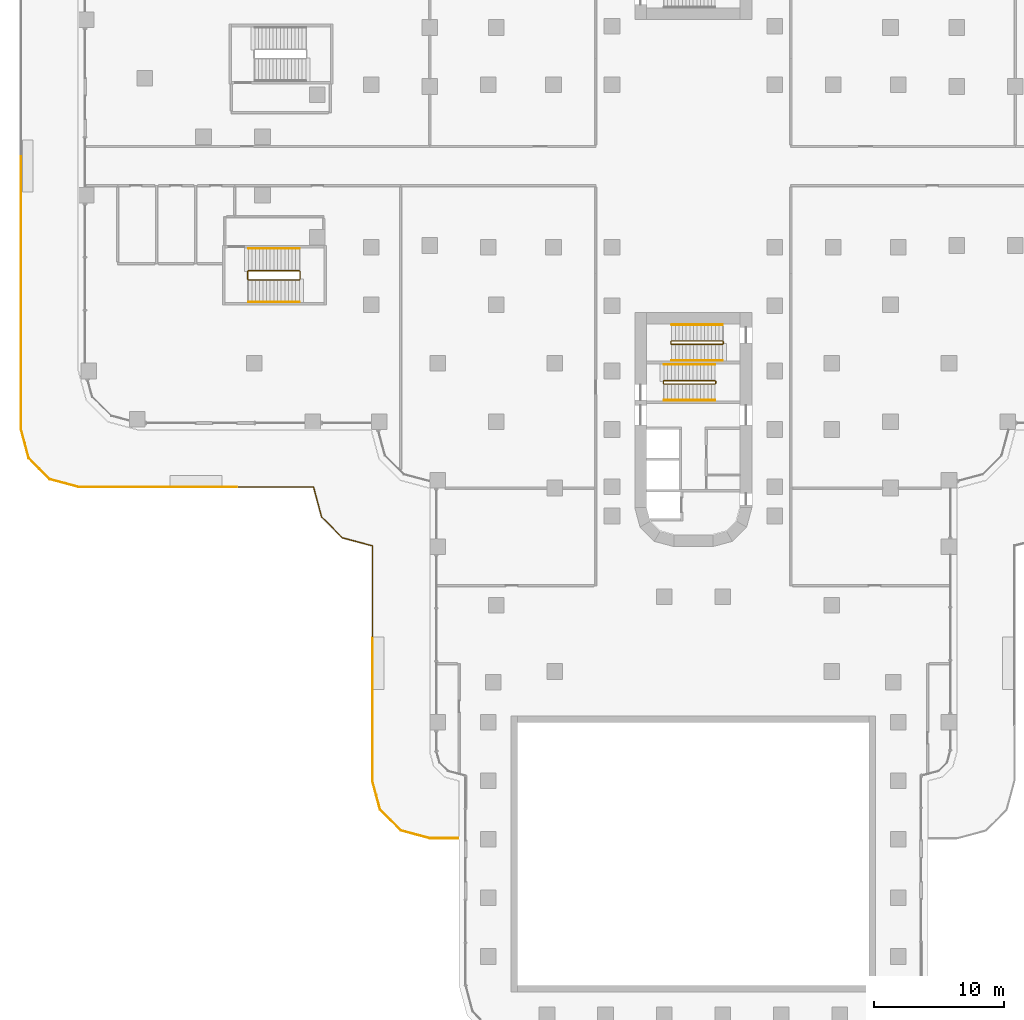
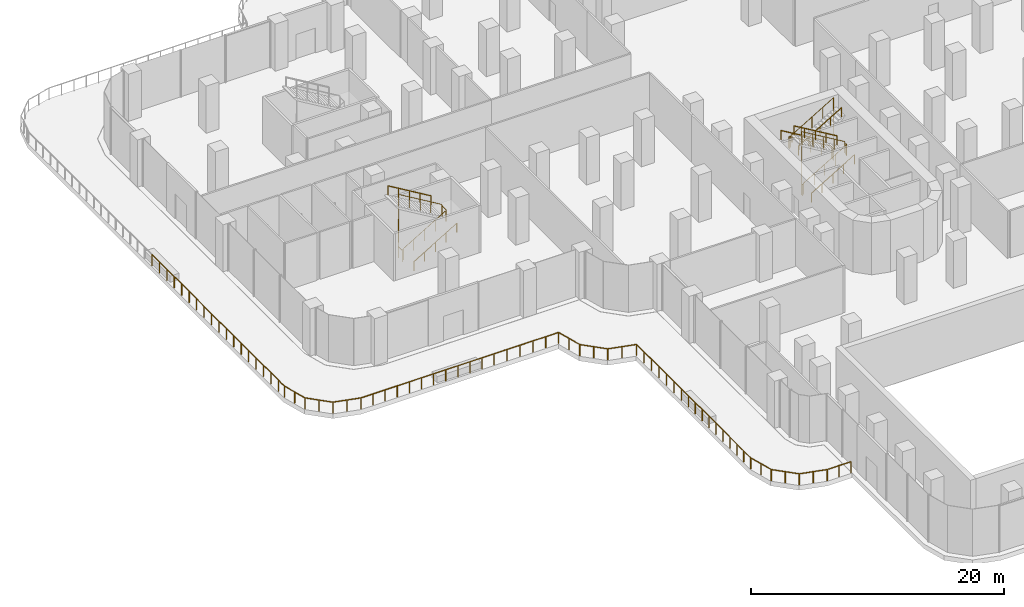
# One storey, part 25 of 29: 13 railings.
"""IFC4 building model written with IfcOpenShell, lengths in metres."""

import ifcopenshell
import ifcopenshell.guid

model = None  # the IFC model being written
_history = None  # IfcOwnerHistory: only IFC2X3 demands one
_inside = {}  # id of a spatial element -> (the spatial element, [elements in it])
_under = {}  # id of a project, library or spatial element -> (it, [spatial elements below it])
_declared = {}  # id of a project -> (the project, [libraries it declares])
_typed = {}  # id of a type object -> (the type object, [elements of that type])
_made_of = {}  # id of a material, layer set ... -> (it, [elements and type objects made of it])


def new_model(schema):
    """Start an empty IFC model of exactly this schema.

    Asked for "IFC4X3", IfcOpenShell would pick the latest addendum, in which some entities
    have other attributes; the version numbers below select the first issue.
    IFC2X3 requires an IfcOwnerHistory on every rooted entity: one is made here for all.
    """
    global model, _history
    if schema == "IFC4X3":
        model = ifcopenshell.file(schema_version=(4, 3, 0, 0))
    else:
        model = ifcopenshell.file(schema=schema)
    _inside.clear()
    _under.clear()
    _declared.clear()
    _typed.clear()
    _made_of.clear()
    _history = None
    if model.schema == "IFC2X3":
        org = make("IfcOrganization", Name="unknown")
        user = make(
            "IfcPersonAndOrganization",
            ThePerson=make("IfcPerson", FamilyName="unknown"),
            TheOrganization=org,
        )
        app = make(
            "IfcApplication",
            ApplicationDeveloper=org,
            Version="unknown",
            ApplicationFullName="unknown",
            ApplicationIdentifier="unknown",
        )
        _history = make(
            "IfcOwnerHistory",
            OwningUser=user,
            OwningApplication=app,
            ChangeAction="ADDED",
            CreationDate=0,
        )
    return model


def make(cls, **values):
    """One entity of the class cls with the attributes given. An attribute that is None is left unset."""
    return model.create_entity(
        cls, **{name: value for name, value in values.items() if value is not None}
    )


def rooted(cls, **values):
    """An entity with a GlobalId (a new one), such as an element, a storey or a relation."""
    return make(cls, GlobalId=ifcopenshell.guid.new(), OwnerHistory=_history, **values)


def si_unit(unit_type, name, prefix=None):
    """IfcSIUnit, for example si_unit("LENGTHUNIT", "METRE", prefix="MILLI")."""
    return make("IfcSIUnit", UnitType=unit_type, Prefix=prefix, Name=name)


def assignment(units):
    """IfcUnitAssignment: the units of a project."""
    return None if units is None else make("IfcUnitAssignment", Units=units)


def point(xyz):
    """IfcCartesianPoint."""
    return None if xyz is None else make("IfcCartesianPoint", Coordinates=xyz)


def direction(xyz):
    """IfcDirection."""
    return None if xyz is None else make("IfcDirection", DirectionRatios=xyz)


def frame(location, z_axis=None, x_axis=None):
    """IfcAxis2Placement3D, a coordinate frame: its origin and axes. An axis left out is left unset."""
    return make(
        "IfcAxis2Placement3D",
        Location=point(location),
        Axis=direction(z_axis),
        RefDirection=direction(x_axis),
    )


def frame_2d(location, x_axis=None):
    """IfcAxis2Placement2D, a coordinate frame in the plane: its origin and x axis."""
    return make(
        "IfcAxis2Placement2D", Location=point(location), RefDirection=direction(x_axis)
    )


def origin():
    """The frame at (0, 0, 0) with its axes left unset."""
    return frame((0.0, 0.0, 0.0))


def origin_2d():
    """The frame at (0, 0) in the plane with its x axis left unset."""
    return frame_2d((0.0, 0.0))


def place(relative_to, where):
    """IfcLocalPlacement: puts the frame where relative to a parent placement (None: the world)."""
    return make(
        "IfcLocalPlacement", PlacementRelTo=relative_to, RelativePlacement=where
    )


def context(
    kind, dimensions, precision=None, world=None, true_north=None, identifier=None
):
    """IfcGeometricRepresentationContext, for example the 3D "Model" context."""
    return make(
        "IfcGeometricRepresentationContext",
        ContextIdentifier=identifier,
        ContextType=kind,
        CoordinateSpaceDimension=dimensions,
        Precision=precision,
        WorldCoordinateSystem=world,
        TrueNorth=true_north,
    )


def subcontext(parent, identifier, kind, view, scale=None):
    """IfcGeometricRepresentationSubContext, for example "Body" below "Model"."""
    return make(
        "IfcGeometricRepresentationSubContext",
        ContextIdentifier=identifier,
        ContextType=kind,
        ParentContext=parent,
        TargetScale=scale,
        TargetView=view,
    )


def project(units=None, contexts=None):
    """IfcProject with its units and contexts."""
    return rooted(
        "IfcProject",
        Name="project",
        RepresentationContexts=contexts,
        UnitsInContext=assignment(units),
    )


def spatial(cls, under=None, at=None, **own):
    """A site, building, storey or space (cls), placed at a placement, below another one or the project."""
    s = rooted(cls, ObjectPlacement=at, **own)
    if under is not None:
        _under.setdefault(under.id(), (under, []))[1].append(s)
    return s


def profile(cls, at=None, kind="AREA", **sizes):
    """A parametric profile (cls). Its sizes go by their IFC names, for example OverallWidth=200.0."""
    return make(cls, ProfileType=kind, Position=at, **sizes)


def circle(**sizes):
    """IfcCircleProfileDef."""
    return profile("IfcCircleProfileDef", **sizes)


def extrude(swept, where, along, depth):
    """IfcExtrudedAreaSolid: the profile swept, set in the frame where, extruded along a direction by depth."""
    return make(
        "IfcExtrudedAreaSolid",
        SweptArea=swept,
        Position=where,
        ExtrudedDirection=direction(along),
        Depth=depth,
    )


def shape(context_of_items, identifier, shape_type, items):
    """IfcShapeRepresentation: the items that make up one representation, for example the "Body"."""
    return make(
        "IfcShapeRepresentation",
        ContextOfItems=context_of_items,
        RepresentationIdentifier=identifier,
        RepresentationType=shape_type,
        Items=items,
    )


def material(Name=None, Category=None):
    """IfcMaterial."""
    return make("IfcMaterial", Name=Name, Category=Category)


def made_of(thing, what):
    """Note that an element or type object is made of a material, layer set ...; save() writes the relation."""
    if what is not None:
        _made_of.setdefault(what.id(), (what, []))[1].append(thing)
    return thing


def type_object(cls, material=None, **own):
    """A type object (cls), such as IfcWallType, which elements share."""
    return made_of(rooted(cls, **own), material)


def element(
    cls,
    number,
    at=None,
    inside=None,
    cuts=None,
    type_object=None,
    material=None,
    context=None,
    identifier="Body",
    shape_type=None,
    held_by="IfcProductDefinitionShape",
    body=None,
    shapes=None,
    **own,
):
    """One element of the class cls, such as IfcWall. Its Tag is "e" and its number.

    at: its placement. inside: the storey or other place that contains it. cuts: it is an
    opening in that element (IfcRelVoidsElement). A single representation is given by context,
    identifier, shape_type and body (its items); several are given by shapes. held_by: the class
    of the entity that holds the representations. save() writes the other relations.
    """
    e = rooted(cls, Tag="e%d" % number, ObjectPlacement=at, **own)
    if body is not None:
        shapes = [shape(context, identifier, shape_type, body)]
    if shapes is not None:
        e.Representation = make(held_by, Representations=shapes)
    if inside is not None:
        _inside.setdefault(inside.id(), (inside, []))[1].append(e)
    if cuts is not None:
        rooted(
            "IfcRelVoidsElement", RelatingBuildingElement=cuts, RelatedOpeningElement=e
        )
    if type_object is not None:
        _typed.setdefault(type_object.id(), (type_object, []))[1].append(e)
    return made_of(e, material)


def aggregate(whole, parts):
    """IfcRelAggregates: a whole, such as a stair, and the parts it consists of."""
    return rooted("IfcRelAggregates", RelatingObject=whole, RelatedObjects=parts)


def save(model, path):
    """Write the relations noted so far, then the file.

    IfcRelAggregates (storeys below a building ...), IfcRelContainedInSpatialStructure (elements
    in a storey), IfcRelDefinesByType, IfcRelAssociatesMaterial and IfcRelDeclares: one each for
    every whole, place, type object, material and project.
    """
    for whole, parts in _under.values():
        aggregate(whole, parts)
    for where, things in _inside.values():
        rooted(
            "IfcRelContainedInSpatialStructure",
            RelatedElements=things,
            RelatingStructure=where,
        )
    for kind, things in _typed.values():
        rooted("IfcRelDefinesByType", RelatedObjects=things, RelatingType=kind)
    for what, things in _made_of.values():
        rooted("IfcRelAssociatesMaterial", RelatedObjects=things, RelatingMaterial=what)
    for by, libraries in _declared.values():
        rooted("IfcRelDeclares", RelatingContext=by, RelatedDefinitions=libraries)
    model.write(path)


model = new_model("IFC4")

# Units and contexts
model_context = context("Model", 3, precision=1e-05, world=origin(), true_north=direction((0.0, 1.0)))
body_context = subcontext(model_context, "Body", "Model", "MODEL_VIEW")
ifc_project = project(units=[si_unit("LENGTHUNIT", "METRE"), si_unit("AREAUNIT", "SQUARE_METRE"), si_unit("VOLUMEUNIT", "CUBIC_METRE"), si_unit("PLANEANGLEUNIT", "RADIAN"), si_unit("MASSUNIT", "GRAM", prefix="KILO")], contexts=[model_context])

# Site, building, storey
site_placement = place(None, origin())
site = spatial("IfcSite", under=ifc_project, at=site_placement, CompositionType="ELEMENT")
building_placement = place(site_placement, origin())
building = spatial("IfcBuilding", under=site, at=building_placement, Name="Zarbagh Exchange Tower", CompositionType="ELEMENT")
storey_placement = place(building_placement, frame((0.0, 0.0, 12.0)))
storey = spatial("IfcBuildingStorey", under=building, at=storey_placement, Name="L02", CompositionType="ELEMENT", Elevation=12.0)

# Railings
ifc_material_1 = material(Name="Stainless steel", Category="steel")
railing_type_1 = type_object("IfcRailingType", Name="Stair guard 1100 mm", PredefinedType="GUARDRAIL", material=ifc_material_1)
railing_1_placement = place(storey_placement, frame((1.669921875, -16.5, 2.666748046875)))
element("IfcRailing", 1, at=railing_1_placement, inside=storey, type_object=railing_type_1, Name="ST3 stair guard 1", PredefinedType="GUARDRAIL", context=body_context, shape_type="SweptSolid", body=[
    extrude(circle(Radius=0.02392578125, at=origin_2d()), frame((0.0, 0.0, 1.076171875), z_axis=(-0.859296244711, 0.0, 0.511478214419), x_axis=(0.0, -1.0, 0.0)), (0.0, 0.0, 1.0), 4.561767578125),
    extrude(circle(Radius=0.02392578125, at=origin_2d()), frame((-3.919921875, 0.0, 3.4091796875), z_axis=(-0.010008762843, -0.010008762843, -0.999899819648), x_axis=(0.707106781187, -0.707106781187, 0.0)), (0.0, 0.0, 1.0), 5.00048828125),
    extrude(circle(Radius=0.02392578125, at=origin_2d()), frame((-3.969970703125, -0.050048828125, -1.5908203125), z_axis=(0.0, -1.0, 0.0), x_axis=(1.0, 0.0, 0.0)), (0.0, 0.0, 1.0), 0.14990234375),
    extrude(circle(Radius=0.02392578125, at=origin_2d()), frame((-3.969970703125, -0.199951171875, -1.5908203125), z_axis=(0.27628659633, -0.27628659633, 0.920506074601), x_axis=(0.707106781187, 0.707106781187, 0.0)), (0.0, 0.0, 1.0), 0.18115234375),
    extrude(circle(Radius=0.02392578125, at=origin_2d()), frame((-3.919921875, -0.25, -1.423828125), z_axis=(0.859296244711, 0.0, 0.511478214419), x_axis=(0.0, 1.0, 0.0)), (0.0, 0.0, 1.0), 4.561767578125),
    extrude(circle(Radius=0.02392578125, at=origin_2d()), frame((0.0, -0.25, 0.9091796875), z_axis=(0.707106781187, 0.707106781187, 0.0), x_axis=(-0.707106781187, 0.707106781187, 0.0)), (0.0, 0.0, 1.0), 0.07080078125),
    extrude(circle(Radius=0.02392578125, at=origin_2d()), frame((0.050048828125, -0.199951171875, 0.9091796875), z_axis=(0.0, 1.0, 0.0), x_axis=(-1.0, 0.0, 0.0)), (0.0, 0.0, 1.0), 0.14990234375),
    extrude(circle(Radius=0.02099609375, at=origin_2d()), origin(), (0.0, 0.0, 1.0), 1.052001953125),
    extrude(circle(Radius=0.02099609375, at=origin_2d()), frame((-0.97998046875, 0.0, 0.583251953125)), (0.0, 0.0, 1.0), 1.052001953125),
    extrude(circle(Radius=0.02099609375, at=origin_2d()), frame((-1.9599609375, 0.0, 1.16650390625)), (0.0, 0.0, 1.0), 1.052001953125),
    extrude(circle(Radius=0.02099609375, at=origin_2d()), frame((-2.93994140625, 0.0, 1.75)), (0.0, 0.0, 1.0), 1.052001953125),
    extrude(circle(Radius=0.02099609375, at=origin_2d()), frame((-3.919921875, 0.0, 2.333251953125)), (0.0, 0.0, 1.0), 1.052001953125),
    extrude(circle(Radius=0.02099609375, at=origin_2d()), frame((-3.929931640625, -0.010009765625, 1.333251953125)), (0.0, 0.0, 1.0), 1.052001953125),
    extrude(circle(Radius=0.02099609375, at=origin_2d()), frame((-3.93994140625, -0.02001953125, 0.333251953125)), (0.0, 0.0, 1.0), 1.052001953125),
    extrude(circle(Radius=0.02099609375, at=origin_2d()), frame((-3.949951171875, -0.030029296875, -0.666748046875)), (0.0, 0.0, 1.0), 1.052001953125),
    extrude(circle(Radius=0.02099609375, at=origin_2d()), frame((-3.9599609375, -0.0400390625, -1.666748046875)), (0.0, 0.0, 1.0), 1.052001953125),
    extrude(circle(Radius=0.02099609375, at=origin_2d()), frame((-3.969970703125, -0.050048828125, -2.666748046875)), (0.0, 0.0, 1.0), 1.052001953125),
    extrude(circle(Radius=0.02099609375, at=origin_2d()), frame((-3.969970703125, -0.199951171875, -2.666748046875)), (0.0, 0.0, 1.0), 1.052001953125),
    extrude(circle(Radius=0.02099609375, at=origin_2d()), frame((-3.919921875, -0.25, -2.5)), (0.0, 0.0, 1.0), 1.052001953125),
    extrude(circle(Radius=0.02099609375, at=origin_2d()), frame((-2.93994140625, -0.25, -1.916748046875)), (0.0, 0.0, 1.0), 1.052001953125),
    extrude(circle(Radius=0.02099609375, at=origin_2d()), frame((-1.9599609375, -0.25, -1.33349609375)), (0.0, 0.0, 1.0), 1.052001953125),
    extrude(circle(Radius=0.02099609375, at=origin_2d()), frame((-0.97998046875, -0.25, -0.75)), (0.0, 0.0, 1.0), 1.052001953125),
    extrude(circle(Radius=0.02099609375, at=origin_2d()), frame((0.0, -0.25, -0.166748046875)), (0.0, 0.0, 1.0), 1.052001953125),
    extrude(circle(Radius=0.02099609375, at=origin_2d()), frame((0.050048828125, -0.199951171875, -0.166748046875)), (0.0, 0.0, 1.0), 1.052001953125),
    extrude(circle(Radius=0.02099609375, at=origin_2d()), frame((0.050048828125, -0.050048828125, -0.166748046875)), (0.0, 0.0, 1.0), 1.052001953125),
])
railing_2_placement = place(storey_placement, frame((-1.719970703125, -13.5, 2.5)))
element("IfcRailing", 2, at=railing_2_placement, inside=storey, type_object=railing_type_1, Name="ST4 stair guard 1", PredefinedType="GUARDRAIL", context=body_context, shape_type="SweptSolid", body=[
    extrude(circle(Radius=0.02392578125, at=origin_2d()), frame((0.0, 0.0, 1.076171875), z_axis=(0.0, -1.0, 0.0), x_axis=(1.0, 0.0, 0.0)), (0.0, 0.0, 1.0), 0.14990234375),
    extrude(circle(Radius=0.02392578125, at=origin_2d()), frame((0.0, -0.14990234375, 1.076171875), z_axis=(0.27628659633, -0.27628659633, 0.920506074601), x_axis=(0.707106781187, 0.707106781187, 0.0)), (0.0, 0.0, 1.0), 0.18115234375),
    extrude(circle(Radius=0.02392578125, at=origin_2d()), frame((0.050048828125, -0.199951171875, 1.24267578125), z_axis=(0.859296244711, 0.0, 0.511478214419), x_axis=(0.0, 1.0, 0.0)), (0.0, 0.0, 1.0), 4.561767578125),
    extrude(circle(Radius=0.02392578125, at=origin_2d()), frame((3.969970703125, -0.199951171875, 3.576171875), z_axis=(0.010008762843, 0.010008762843, -0.999899819648), x_axis=(-0.707106781187, 0.707106781187, 0.0)), (0.0, 0.0, 1.0), 5.00048828125),
    extrude(circle(Radius=0.02392578125, at=origin_2d()), frame((4.02001953125, -0.14990234375, -1.423828125), z_axis=(0.0, 1.0, 0.0), x_axis=(-1.0, 0.0, 0.0)), (0.0, 0.0, 1.0), 0.14990234375),
    extrude(circle(Radius=0.02392578125, at=origin_2d()), frame((4.02001953125, 0.0, -1.423828125), z_axis=(-0.27628659633, 0.27628659633, 0.920506074601), x_axis=(-0.707106781187, -0.707106781187, 0.0)), (0.0, 0.0, 1.0), 0.18115234375),
    extrude(circle(Radius=0.02392578125, at=origin_2d()), frame((3.969970703125, 0.050048828125, -1.25732421875), z_axis=(-0.859296244711, 0.0, 0.511478214419), x_axis=(0.0, -1.0, 0.0)), (0.0, 0.0, 1.0), 4.561767578125),
    extrude(circle(Radius=0.02099609375, at=origin_2d()), origin(), (0.0, 0.0, 1.0), 1.052001953125),
    extrude(circle(Radius=0.02099609375, at=origin_2d()), frame((0.0, -0.14990234375, 0.0)), (0.0, 0.0, 1.0), 1.052001953125),
    extrude(circle(Radius=0.02099609375, at=origin_2d()), frame((0.050048828125, -0.199951171875, 0.166748046875)), (0.0, 0.0, 1.0), 1.052001953125),
    extrude(circle(Radius=0.02099609375, at=origin_2d()), frame((1.030029296875, -0.199951171875, 0.75)), (0.0, 0.0, 1.0), 1.052001953125),
    extrude(circle(Radius=0.02099609375, at=origin_2d()), frame((2.010009765625, -0.199951171875, 1.33349609375)), (0.0, 0.0, 1.0), 1.052001953125),
    extrude(circle(Radius=0.02099609375, at=origin_2d()), frame((2.989990234375, -0.199951171875, 1.916748046875)), (0.0, 0.0, 1.0), 1.052001953125),
    extrude(circle(Radius=0.02099609375, at=origin_2d()), frame((3.969970703125, -0.199951171875, 2.5)), (0.0, 0.0, 1.0), 1.052001953125),
    extrude(circle(Radius=0.02099609375, at=origin_2d()), frame((3.97998046875, -0.18994140625, 1.5)), (0.0, 0.0, 1.0), 1.052001953125),
    extrude(circle(Radius=0.02099609375, at=origin_2d()), frame((3.989990234375, -0.179931640625, 0.5)), (0.0, 0.0, 1.0), 1.052001953125),
    extrude(circle(Radius=0.02099609375, at=origin_2d()), frame((4.0, -0.169921875, -0.5)), (0.0, 0.0, 1.0), 1.052001953125),
    extrude(circle(Radius=0.02099609375, at=origin_2d()), frame((4.010009765625, -0.159912109375, -1.5)), (0.0, 0.0, 1.0), 1.052001953125),
    extrude(circle(Radius=0.02099609375, at=origin_2d()), frame((4.02001953125, -0.14990234375, -2.5)), (0.0, 0.0, 1.0), 1.052001953125),
    extrude(circle(Radius=0.02099609375, at=origin_2d()), frame((4.02001953125, 0.0, -2.5)), (0.0, 0.0, 1.0), 1.052001953125),
    extrude(circle(Radius=0.02099609375, at=origin_2d()), frame((3.969970703125, 0.050048828125, -2.333251953125)), (0.0, 0.0, 1.0), 1.052001953125),
    extrude(circle(Radius=0.02099609375, at=origin_2d()), frame((2.989990234375, 0.050048828125, -1.75)), (0.0, 0.0, 1.0), 1.052001953125),
    extrude(circle(Radius=0.02099609375, at=origin_2d()), frame((2.010009765625, 0.050048828125, -1.16650390625)), (0.0, 0.0, 1.0), 1.052001953125),
    extrude(circle(Radius=0.02099609375, at=origin_2d()), frame((1.030029296875, 0.050048828125, -0.583251953125)), (0.0, 0.0, 1.0), 1.052001953125),
    extrude(circle(Radius=0.02099609375, at=origin_2d()), frame((0.050048828125, 0.050048828125, 0.0)), (0.0, 0.0, 1.0), 1.052001953125),
])
railing_3_placement = place(storey_placement, frame((-30.22998046875, -8.699951171875, 2.5)))
element("IfcRailing", 3, at=railing_3_placement, inside=storey, type_object=railing_type_1, Name="PS4 stair guard 1", PredefinedType="GUARDRAIL", context=body_context, shape_type="SweptSolid", body=[
    extrude(circle(Radius=0.02392578125, at=origin_2d()), frame((0.0, 0.0, 1.076171875), z_axis=(0.0, 1.0, 0.0), x_axis=(-1.0, 0.0, 0.0)), (0.0, 0.0, 1.0), 0.599853515625),
    extrude(circle(Radius=0.02392578125, at=origin_2d()), frame((0.0, 0.599853515625, 1.076171875), z_axis=(-0.27628659633, 0.27628659633, 0.920506074601), x_axis=(-0.707106781187, -0.707106781187, 0.0)), (0.0, 0.0, 1.0), 0.18115234375),
    extrude(circle(Radius=0.02392578125, at=origin_2d()), frame((-0.050048828125, 0.64990234375, 1.24267578125), z_axis=(-0.859296244711, 0.0, 0.511478214419), x_axis=(0.0, -1.0, 0.0)), (0.0, 0.0, 1.0), 4.561767578125),
    extrude(circle(Radius=0.02392578125, at=origin_2d()), frame((-3.969970703125, 0.64990234375, 3.576171875), z_axis=(-0.010008762843, -0.010008762843, -0.999899819648), x_axis=(0.707106781187, -0.707106781187, 0.0)), (0.0, 0.0, 1.0), 5.00048828125),
    extrude(circle(Radius=0.02392578125, at=origin_2d()), frame((-4.02001953125, 0.599853515625, -1.423828125), z_axis=(0.0, -1.0, 0.0), x_axis=(1.0, 0.0, 0.0)), (0.0, 0.0, 1.0), 0.599853515625),
    extrude(circle(Radius=0.02392578125, at=origin_2d()), frame((-4.02001953125, 0.0, -1.423828125), z_axis=(0.27628659633, -0.27628659633, 0.920506074601), x_axis=(0.707106781187, 0.707106781187, 0.0)), (0.0, 0.0, 1.0), 0.18115234375),
    extrude(circle(Radius=0.02392578125, at=origin_2d()), frame((-3.969970703125, -0.050048828125, -1.25732421875), z_axis=(0.859296244711, 0.0, 0.511478214419), x_axis=(0.0, 1.0, 0.0)), (0.0, 0.0, 1.0), 4.561767578125),
    extrude(circle(Radius=0.02099609375, at=origin_2d()), origin(), (0.0, 0.0, 1.0), 1.052001953125),
    extrude(circle(Radius=0.02099609375, at=origin_2d()), frame((0.0, 0.599853515625, 0.0)), (0.0, 0.0, 1.0), 1.052001953125),
    extrude(circle(Radius=0.02099609375, at=origin_2d()), frame((-0.050048828125, 0.64990234375, 0.166748046875)), (0.0, 0.0, 1.0), 1.052001953125),
    extrude(circle(Radius=0.02099609375, at=origin_2d()), frame((-1.030029296875, 0.64990234375, 0.75)), (0.0, 0.0, 1.0), 1.052001953125),
    extrude(circle(Radius=0.02099609375, at=origin_2d()), frame((-2.010009765625, 0.64990234375, 1.33349609375)), (0.0, 0.0, 1.0), 1.052001953125),
    extrude(circle(Radius=0.02099609375, at=origin_2d()), frame((-2.989990234375, 0.64990234375, 1.916748046875)), (0.0, 0.0, 1.0), 1.052001953125),
    extrude(circle(Radius=0.02099609375, at=origin_2d()), frame((-3.969970703125, 0.64990234375, 2.5)), (0.0, 0.0, 1.0), 1.052001953125),
    extrude(circle(Radius=0.02099609375, at=origin_2d()), frame((-3.97998046875, 0.639892578125, 1.5)), (0.0, 0.0, 1.0), 1.052001953125),
    extrude(circle(Radius=0.02099609375, at=origin_2d()), frame((-3.989990234375, 0.6298828125, 0.5)), (0.0, 0.0, 1.0), 1.052001953125),
    extrude(circle(Radius=0.02099609375, at=origin_2d()), frame((-4.0, 0.619873046875, -0.5)), (0.0, 0.0, 1.0), 1.052001953125),
    extrude(circle(Radius=0.02099609375, at=origin_2d()), frame((-4.010009765625, 0.60986328125, -1.5)), (0.0, 0.0, 1.0), 1.052001953125),
    extrude(circle(Radius=0.02099609375, at=origin_2d()), frame((-4.02001953125, 0.599853515625, -2.5)), (0.0, 0.0, 1.0), 1.052001953125),
    extrude(circle(Radius=0.02099609375, at=origin_2d()), frame((-4.02001953125, 0.0, -2.5)), (0.0, 0.0, 1.0), 1.052001953125),
    extrude(circle(Radius=0.02099609375, at=origin_2d()), frame((-3.969970703125, -0.050048828125, -2.333251953125)), (0.0, 0.0, 1.0), 1.052001953125),
    extrude(circle(Radius=0.02099609375, at=origin_2d()), frame((-2.989990234375, -0.050048828125, -1.75)), (0.0, 0.0, 1.0), 1.052001953125),
    extrude(circle(Radius=0.02099609375, at=origin_2d()), frame((-2.010009765625, -0.050048828125, -1.16650390625)), (0.0, 0.0, 1.0), 1.052001953125),
    extrude(circle(Radius=0.02099609375, at=origin_2d()), frame((-1.030029296875, -0.050048828125, -0.583251953125)), (0.0, 0.0, 1.0), 1.052001953125),
    extrude(circle(Radius=0.02099609375, at=origin_2d()), frame((-0.050048828125, -0.050048828125, 0.0)), (0.0, 0.0, 1.0), 1.052001953125),
])
railing_type_2 = type_object("IfcRailingType", Name="Stair handrail 900 mm", PredefinedType="HANDRAIL", material=ifc_material_1)
railing_4_placement = place(storey_placement, frame((-2.25, -18.0, 0.166748046875)))
element("IfcRailing", 4, at=railing_4_placement, inside=storey, type_object=railing_type_2, Name="ST3 stair handrail 1", PredefinedType="HANDRAIL", context=body_context, shape_type="SweptSolid", body=[
    extrude(circle(Radius=0.02392578125, at=origin_2d()), frame((0.0, 0.0, 0.8759765625), z_axis=(0.859296244711, 0.0, 0.511478214419), x_axis=(0.0, 1.0, 0.0)), (0.0, 0.0, 1.0), 4.561767578125),
    extrude(circle(Radius=0.02099609375, at=origin_2d()), origin(), (0.0, 0.0, 1.0), 0.851806640625),
    extrude(circle(Radius=0.02099609375, at=origin_2d()), frame((0.97998046875, 0.0, 0.583251953125)), (0.0, 0.0, 1.0), 0.851806640625),
    extrude(circle(Radius=0.02099609375, at=origin_2d()), frame((1.9599609375, 0.0, 1.16650390625)), (0.0, 0.0, 1.0), 0.851806640625),
    extrude(circle(Radius=0.02099609375, at=origin_2d()), frame((2.93994140625, 0.0, 1.75)), (0.0, 0.0, 1.0), 0.851806640625),
    extrude(circle(Radius=0.02099609375, at=origin_2d()), frame((3.919921875, 0.0, 2.333251953125)), (0.0, 0.0, 1.0), 0.851806640625),
])
for number, where, name in (
    (5, (1.669921875, -15.25, 2.666748046875), "ST3 stair handrail 2"),
    (6, (2.25, -12.199951171875, 0.166748046875), "ST4 stair handrail 1"),
):
    element("IfcRailing", number, at=place(storey_placement, frame(where)), inside=storey, type_object=railing_type_2, Name=name, PredefinedType="HANDRAIL", context=body_context, shape_type="SweptSolid", body=[
        extrude(circle(Radius=0.02392578125, at=origin_2d()), frame((0.0, 0.0, 0.8759765625), z_axis=(-0.859296244711, 0.0, 0.511478214419), x_axis=(0.0, -1.0, 0.0)), (0.0, 0.0, 1.0), 4.561767578125),
        extrude(circle(Radius=0.02099609375, at=origin_2d()), origin(), (0.0, 0.0, 1.0), 0.851806640625),
        extrude(circle(Radius=0.02099609375, at=origin_2d()), frame((-0.97998046875, 0.0, 0.583251953125)), (0.0, 0.0, 1.0), 0.851806640625),
        extrude(circle(Radius=0.02099609375, at=origin_2d()), frame((-1.9599609375, 0.0, 1.16650390625)), (0.0, 0.0, 1.0), 0.851806640625),
        extrude(circle(Radius=0.02099609375, at=origin_2d()), frame((-2.93994140625, 0.0, 1.75)), (0.0, 0.0, 1.0), 0.851806640625),
        extrude(circle(Radius=0.02099609375, at=origin_2d()), frame((-3.919921875, 0.0, 2.333251953125)), (0.0, 0.0, 1.0), 0.851806640625),
    ])
for number, where, name in (
    (7, (-1.669921875, -14.949951171875, 2.666748046875), "ST4 stair handrail 2"),
    (8, (-34.199951171875, -10.449951171875, 0.166748046875), "PS4 stair handrail 1"),
):
    element("IfcRailing", number, at=place(storey_placement, frame(where)), inside=storey, type_object=railing_type_2, Name=name, PredefinedType="HANDRAIL", context=body_context, shape_type="SweptSolid", body=[
        extrude(circle(Radius=0.02392578125, at=origin_2d()), frame((0.0, 0.0, 0.8759765625), z_axis=(0.859296244711, 0.0, 0.511478214419), x_axis=(0.0, 1.0, 0.0)), (0.0, 0.0, 1.0), 4.561767578125),
        extrude(circle(Radius=0.02099609375, at=origin_2d()), origin(), (0.0, 0.0, 1.0), 0.851806640625),
        extrude(circle(Radius=0.02099609375, at=origin_2d()), frame((0.97998046875, 0.0, 0.583251953125)), (0.0, 0.0, 1.0), 0.851806640625),
        extrude(circle(Radius=0.02099609375, at=origin_2d()), frame((1.9599609375, 0.0, 1.16650390625)), (0.0, 0.0, 1.0), 0.851806640625),
        extrude(circle(Radius=0.02099609375, at=origin_2d()), frame((2.93994140625, 0.0, 1.75)), (0.0, 0.0, 1.0), 0.851806640625),
        extrude(circle(Radius=0.02099609375, at=origin_2d()), frame((3.919921875, 0.0, 2.333251953125)), (0.0, 0.0, 1.0), 0.851806640625),
    ])
railing_5_placement = place(storey_placement, frame((-30.280029296875, -6.35009765625, 2.666748046875)))
element("IfcRailing", 9, at=railing_5_placement, inside=storey, type_object=railing_type_2, Name="PS4 stair handrail 2", PredefinedType="HANDRAIL", context=body_context, shape_type="SweptSolid", body=[
    extrude(circle(Radius=0.02392578125, at=origin_2d()), frame((0.0, 0.0, 0.8759765625), z_axis=(-0.859296244711, 0.0, 0.511478214419), x_axis=(0.0, -1.0, 0.0)), (0.0, 0.0, 1.0), 4.561767578125),
    extrude(circle(Radius=0.02099609375, at=origin_2d()), origin(), (0.0, 0.0, 1.0), 0.851806640625),
    extrude(circle(Radius=0.02099609375, at=origin_2d()), frame((-0.97998046875, 0.0, 0.583251953125)), (0.0, 0.0, 1.0), 0.851806640625),
    extrude(circle(Radius=0.02099609375, at=origin_2d()), frame((-1.9599609375, 0.0, 1.16650390625)), (0.0, 0.0, 1.0), 0.851806640625),
    extrude(circle(Radius=0.02099609375, at=origin_2d()), frame((-2.93994140625, 0.0, 1.75)), (0.0, 0.0, 1.0), 0.851806640625),
    extrude(circle(Radius=0.02099609375, at=origin_2d()), frame((-3.919921875, 0.0, 2.333251953125)), (0.0, 0.0, 1.0), 0.851806640625),
])
ifc_material_2 = material(Name="Stainless steel and laminated glass", Category="steel")
railing_type_3 = type_object("IfcRailingType", Name="Terrace guard, glass balustrade 1.1 m", PredefinedType="GUARDRAIL", material=ifc_material_2)
railing_6_placement = place(storey_placement, frame((-18.080078125, -51.669921875, 0.0)))
element("IfcRailing", 10, at=railing_6_placement, inside=storey, type_object=railing_type_3, Name="TG01 terrace guard", PredefinedType="GUARDRAIL", context=body_context, shape_type="SweptSolid", body=[
    extrude(circle(Radius=0.02490234375, at=origin_2d()), frame((0.0, 0.0, 1.0751953125), z_axis=(-1.0, 0.0, 0.0), x_axis=(0.0, -1.0, 0.0)), (0.0, 0.0, 1.0), 2.159423828125),
    extrude(circle(Radius=0.02490234375, at=origin_2d()), frame((-2.159423828125, 0.0, 1.0751953125), z_axis=(-0.965936192935, 0.258780353152, 0.0), x_axis=(-0.258780353152, -0.965936192935, 0.0)), (0.0, 0.0, 1.0), 2.29736328125),
    extrude(circle(Radius=0.02490234375, at=origin_2d()), frame((-4.37841796875, 0.594482421875, 1.0751953125), z_axis=(-0.707106781187, 0.707106781187, 0.0), x_axis=(-0.707106781187, -0.707106781187, 0.0)), (0.0, 0.0, 1.0), 2.28662109375),
    extrude(circle(Radius=0.02490234375, at=origin_2d()), frame((-5.995361328125, 2.21142578125, 1.0751953125), z_axis=(-0.258780353152, 0.965936192935, 0.0), x_axis=(-0.965936192935, -0.258780353152, 0.0)), (0.0, 0.0, 1.0), 2.29736328125),
    extrude(circle(Radius=0.02490234375, at=origin_2d()), frame((-6.58984375, 4.430419921875, 1.0751953125), z_axis=(0.0, 1.0, 0.0), x_axis=(-1.0, 0.0, 0.0)), (0.0, 0.0, 1.0), 10.959228515625),
    extrude(circle(Radius=0.02490234375, at=origin_2d()), origin(), (0.0, 0.0, 1.0), 1.050048828125),
    extrude(circle(Radius=0.02490234375, at=origin_2d()), frame((-1.07958984375, 0.0, 0.0)), (0.0, 0.0, 1.0), 1.050048828125),
    extrude(circle(Radius=0.02490234375, at=origin_2d()), frame((-2.159423828125, 0.0, 0.0)), (0.0, 0.0, 1.0), 1.050048828125),
    extrude(circle(Radius=0.02490234375, at=origin_2d()), frame((-3.26904296875, 0.29736328125, 0.0)), (0.0, 0.0, 1.0), 1.050048828125),
    extrude(circle(Radius=0.02490234375, at=origin_2d()), frame((-4.37841796875, 0.594482421875, 0.0)), (0.0, 0.0, 1.0), 1.050048828125),
    extrude(circle(Radius=0.02490234375, at=origin_2d()), frame((-5.18701171875, 1.40283203125, 0.0)), (0.0, 0.0, 1.0), 1.050048828125),
    extrude(circle(Radius=0.02490234375, at=origin_2d()), frame((-5.995361328125, 2.21142578125, 0.0)), (0.0, 0.0, 1.0), 1.050048828125),
    extrude(circle(Radius=0.02490234375, at=origin_2d()), frame((-6.29248046875, 3.32080078125, 0.0)), (0.0, 0.0, 1.0), 1.050048828125),
    extrude(circle(Radius=0.02490234375, at=origin_2d()), frame((-6.58984375, 4.430419921875, 0.0)), (0.0, 0.0, 1.0), 1.050048828125),
    extrude(circle(Radius=0.02490234375, at=origin_2d()), frame((-6.58984375, 5.5263671875, 0.0)), (0.0, 0.0, 1.0), 1.050048828125),
    extrude(circle(Radius=0.02490234375, at=origin_2d()), frame((-6.58984375, 6.622314453125, 0.0)), (0.0, 0.0, 1.0), 1.050048828125),
    extrude(circle(Radius=0.02490234375, at=origin_2d()), frame((-6.58984375, 7.71826171875, 0.0)), (0.0, 0.0, 1.0), 1.050048828125),
    extrude(circle(Radius=0.02490234375, at=origin_2d()), frame((-6.58984375, 8.814208984375, 0.0)), (0.0, 0.0, 1.0), 1.050048828125),
    extrude(circle(Radius=0.02490234375, at=origin_2d()), frame((-6.58984375, 9.91015625, 0.0)), (0.0, 0.0, 1.0), 1.050048828125),
    extrude(circle(Radius=0.02490234375, at=origin_2d()), frame((-6.58984375, 11.005859375, 0.0)), (0.0, 0.0, 1.0), 1.050048828125),
    extrude(circle(Radius=0.02490234375, at=origin_2d()), frame((-6.58984375, 12.101806640625, 0.0)), (0.0, 0.0, 1.0), 1.050048828125),
    extrude(circle(Radius=0.02490234375, at=origin_2d()), frame((-6.58984375, 13.19775390625, 0.0)), (0.0, 0.0, 1.0), 1.050048828125),
    extrude(circle(Radius=0.02490234375, at=origin_2d()), frame((-6.58984375, 14.293701171875, 0.0)), (0.0, 0.0, 1.0), 1.050048828125),
    extrude(circle(Radius=0.02490234375, at=origin_2d()), frame((-6.58984375, 15.3896484375, 0.0)), (0.0, 0.0, 1.0), 1.050048828125),
])
railing_7_placement = place(storey_placement, frame((-24.669921875, -36.2802734375, 0.0)))
element("IfcRailing", 11, at=railing_7_placement, inside=storey, type_object=railing_type_3, Name="TG01 terrace guard", PredefinedType="GUARDRAIL", context=body_context, shape_type="SweptSolid", body=[
    extrude(circle(Radius=0.02490234375, at=origin_2d()), frame((0.0, 0.0, 1.0751953125), z_axis=(0.0, 1.0, 0.0), x_axis=(-1.0, 0.0, 0.0)), (0.0, 0.0, 1.0), 7.091552734375),
    extrude(circle(Radius=0.02490234375, at=origin_2d()), frame((0.0, 7.091552734375, 1.0751953125), z_axis=(-0.965919533457, 0.258842529128, 0.0), x_axis=(-0.258842529128, -0.965919533457, 0.0)), (0.0, 0.0, 1.0), 2.369384765625),
    extrude(circle(Radius=0.02490234375, at=origin_2d()), frame((-2.28857421875, 7.704833984375, 1.0751953125), z_axis=(-0.707106781187, 0.707106781187, 0.0), x_axis=(-0.707106781187, -0.707106781187, 0.0)), (0.0, 0.0, 1.0), 2.28662109375),
    extrude(circle(Radius=0.02490234375, at=origin_2d()), frame((-3.905517578125, 9.32177734375, 1.0751953125), z_axis=(-0.258842529128, 0.965919533457, 0.0), x_axis=(-0.965919533457, -0.258842529128, 0.0)), (0.0, 0.0, 1.0), 2.369384765625),
    extrude(circle(Radius=0.02490234375, at=origin_2d()), frame((-4.518798828125, 11.6103515625, 1.0751953125), z_axis=(-1.0, 0.0, 0.0), x_axis=(0.0, -1.0, 0.0)), (0.0, 0.0, 1.0), 5.883056640625),
    extrude(circle(Radius=0.02490234375, at=origin_2d()), origin(), (0.0, 0.0, 1.0), 1.050048828125),
    extrude(circle(Radius=0.02490234375, at=origin_2d()), frame((0.0, 1.181884765625, 0.0)), (0.0, 0.0, 1.0), 1.050048828125),
    extrude(circle(Radius=0.02490234375, at=origin_2d()), frame((0.0, 2.36376953125, 0.0)), (0.0, 0.0, 1.0), 1.050048828125),
    extrude(circle(Radius=0.02490234375, at=origin_2d()), frame((0.0, 3.5458984375, 0.0)), (0.0, 0.0, 1.0), 1.050048828125),
    extrude(circle(Radius=0.02490234375, at=origin_2d()), frame((0.0, 4.727783203125, 0.0)), (0.0, 0.0, 1.0), 1.050048828125),
    extrude(circle(Radius=0.02490234375, at=origin_2d()), frame((0.0, 5.90966796875, 0.0)), (0.0, 0.0, 1.0), 1.050048828125),
    extrude(circle(Radius=0.02490234375, at=origin_2d()), frame((0.0, 7.091552734375, 0.0)), (0.0, 0.0, 1.0), 1.050048828125),
    extrude(circle(Radius=0.02490234375, at=origin_2d()), frame((-1.144287109375, 7.398193359375, 0.0)), (0.0, 0.0, 1.0), 1.050048828125),
    extrude(circle(Radius=0.02490234375, at=origin_2d()), frame((-2.28857421875, 7.704833984375, 0.0)), (0.0, 0.0, 1.0), 1.050048828125),
    extrude(circle(Radius=0.02490234375, at=origin_2d()), frame((-3.09716796875, 8.51318359375, 0.0)), (0.0, 0.0, 1.0), 1.050048828125),
    extrude(circle(Radius=0.02490234375, at=origin_2d()), frame((-3.905517578125, 9.32177734375, 0.0)), (0.0, 0.0, 1.0), 1.050048828125),
    extrude(circle(Radius=0.02490234375, at=origin_2d()), frame((-4.212158203125, 10.466064453125, 0.0)), (0.0, 0.0, 1.0), 1.050048828125),
    extrude(circle(Radius=0.02490234375, at=origin_2d()), frame((-4.518798828125, 11.6103515625, 0.0)), (0.0, 0.0, 1.0), 1.050048828125),
    extrude(circle(Radius=0.02490234375, at=origin_2d()), frame((-5.6953125, 11.6103515625, 0.0)), (0.0, 0.0, 1.0), 1.050048828125),
    extrude(circle(Radius=0.02490234375, at=origin_2d()), frame((-6.8720703125, 11.6103515625, 0.0)), (0.0, 0.0, 1.0), 1.050048828125),
    extrude(circle(Radius=0.02490234375, at=origin_2d()), frame((-8.048583984375, 11.6103515625, 0.0)), (0.0, 0.0, 1.0), 1.050048828125),
    extrude(circle(Radius=0.02490234375, at=origin_2d()), frame((-9.225341796875, 11.6103515625, 0.0)), (0.0, 0.0, 1.0), 1.050048828125),
    extrude(circle(Radius=0.02490234375, at=origin_2d()), frame((-10.40185546875, 11.6103515625, 0.0)), (0.0, 0.0, 1.0), 1.050048828125),
])
railing_8_placement = place(storey_placement, frame((-35.07177734375, -24.669921875, 0.0)))
element("IfcRailing", 12, at=railing_8_placement, inside=storey, type_object=railing_type_3, Name="TG01 terrace guard", PredefinedType="GUARDRAIL", context=body_context, shape_type="SweptSolid", body=[
    extrude(circle(Radius=0.02490234375, at=origin_2d()), frame((0.0, 0.0, 1.0751953125), z_axis=(-1.0, 0.0, 0.0), x_axis=(0.0, -1.0, 0.0)), (0.0, 0.0, 1.0), 12.167724609375),
    extrude(circle(Radius=0.02490234375, at=origin_2d()), frame((-12.167724609375, 0.0, 1.0751953125), z_axis=(-0.965936192935, 0.258780353152, 0.0), x_axis=(-0.258780353152, -0.965936192935, 0.0)), (0.0, 0.0, 1.0), 2.29736328125),
    extrude(circle(Radius=0.02490234375, at=origin_2d()), frame((-14.38671875, 0.594482421875, 1.0751953125), z_axis=(-0.707106781187, 0.707106781187, 0.0), x_axis=(-0.707106781187, -0.707106781187, 0.0)), (0.0, 0.0, 1.0), 2.28662109375),
    extrude(circle(Radius=0.02490234375, at=origin_2d()), frame((-16.003662109375, 2.21142578125, 1.0751953125), z_axis=(-0.258780353152, 0.965936192935, 0.0), x_axis=(-0.965936192935, -0.258780353152, 0.0)), (0.0, 0.0, 1.0), 2.29736328125),
    extrude(circle(Radius=0.02490234375, at=origin_2d()), frame((-16.59814453125, 4.430419921875, 1.0751953125), z_axis=(0.0, 1.0, 0.0), x_axis=(-1.0, 0.0, 0.0)), (0.0, 0.0, 1.0), 0.951171875),
    extrude(circle(Radius=0.02490234375, at=origin_2d()), origin(), (0.0, 0.0, 1.0), 1.050048828125),
    extrude(circle(Radius=0.02490234375, at=origin_2d()), frame((-1.106201171875, 0.0, 0.0)), (0.0, 0.0, 1.0), 1.050048828125),
    extrude(circle(Radius=0.02490234375, at=origin_2d()), frame((-2.21240234375, 0.0, 0.0)), (0.0, 0.0, 1.0), 1.050048828125),
    extrude(circle(Radius=0.02490234375, at=origin_2d()), frame((-3.318359375, 0.0, 0.0)), (0.0, 0.0, 1.0), 1.050048828125),
    extrude(circle(Radius=0.02490234375, at=origin_2d()), frame((-4.424560546875, 0.0, 0.0)), (0.0, 0.0, 1.0), 1.050048828125),
    extrude(circle(Radius=0.02490234375, at=origin_2d()), frame((-5.53076171875, 0.0, 0.0)), (0.0, 0.0, 1.0), 1.050048828125),
    extrude(circle(Radius=0.02490234375, at=origin_2d()), frame((-6.636962890625, 0.0, 0.0)), (0.0, 0.0, 1.0), 1.050048828125),
    extrude(circle(Radius=0.02490234375, at=origin_2d()), frame((-7.7431640625, 0.0, 0.0)), (0.0, 0.0, 1.0), 1.050048828125),
    extrude(circle(Radius=0.02490234375, at=origin_2d()), frame((-8.849365234375, 0.0, 0.0)), (0.0, 0.0, 1.0), 1.050048828125),
    extrude(circle(Radius=0.02490234375, at=origin_2d()), frame((-9.955322265625, 0.0, 0.0)), (0.0, 0.0, 1.0), 1.050048828125),
    extrude(circle(Radius=0.02490234375, at=origin_2d()), frame((-11.0615234375, 0.0, 0.0)), (0.0, 0.0, 1.0), 1.050048828125),
    extrude(circle(Radius=0.02490234375, at=origin_2d()), frame((-12.167724609375, 0.0, 0.0)), (0.0, 0.0, 1.0), 1.050048828125),
    extrude(circle(Radius=0.02490234375, at=origin_2d()), frame((-13.27734375, 0.29736328125, 0.0)), (0.0, 0.0, 1.0), 1.050048828125),
    extrude(circle(Radius=0.02490234375, at=origin_2d()), frame((-14.38671875, 0.594482421875, 0.0)), (0.0, 0.0, 1.0), 1.050048828125),
    extrude(circle(Radius=0.02490234375, at=origin_2d()), frame((-15.1953125, 1.40283203125, 0.0)), (0.0, 0.0, 1.0), 1.050048828125),
    extrude(circle(Radius=0.02490234375, at=origin_2d()), frame((-16.003662109375, 2.21142578125, 0.0)), (0.0, 0.0, 1.0), 1.050048828125),
    extrude(circle(Radius=0.02490234375, at=origin_2d()), frame((-16.30078125, 3.32080078125, 0.0)), (0.0, 0.0, 1.0), 1.050048828125),
    extrude(circle(Radius=0.02490234375, at=origin_2d()), frame((-16.59814453125, 4.430419921875, 0.0)), (0.0, 0.0, 1.0), 1.050048828125),
    extrude(circle(Radius=0.02490234375, at=origin_2d()), frame((-16.59814453125, 5.381591796875, 0.0)), (0.0, 0.0, 1.0), 1.050048828125),
])
railing_9_placement = place(storey_placement, frame((-51.669921875, -19.288330078125, 0.0)))
element("IfcRailing", 13, at=railing_9_placement, inside=storey, type_object=railing_type_3, Name="TG01 terrace guard", PredefinedType="GUARDRAIL", context=body_context, shape_type="SweptSolid", body=[
    extrude(circle(Radius=0.02490234375, at=origin_2d()), frame((0.0, 0.0, 1.0751953125), z_axis=(0.0, 1.0, 0.0), x_axis=(-1.0, 0.0, 0.0)), (0.0, 0.0, 1.0), 20.0),
    extrude(circle(Radius=0.02490234375, at=origin_2d()), origin(), (0.0, 0.0, 1.0), 1.050048828125),
    extrude(circle(Radius=0.02490234375, at=origin_2d()), frame((0.0, 1.176513671875, 0.0)), (0.0, 0.0, 1.0), 1.050048828125),
    extrude(circle(Radius=0.02490234375, at=origin_2d()), frame((0.0, 2.35302734375, 0.0)), (0.0, 0.0, 1.0), 1.050048828125),
    extrude(circle(Radius=0.02490234375, at=origin_2d()), frame((0.0, 3.529296875, 0.0)), (0.0, 0.0, 1.0), 1.050048828125),
    extrude(circle(Radius=0.02490234375, at=origin_2d()), frame((0.0, 4.705810546875, 0.0)), (0.0, 0.0, 1.0), 1.050048828125),
    extrude(circle(Radius=0.02490234375, at=origin_2d()), frame((0.0, 5.88232421875, 0.0)), (0.0, 0.0, 1.0), 1.050048828125),
    extrude(circle(Radius=0.02490234375, at=origin_2d()), frame((0.0, 7.058837890625, 0.0)), (0.0, 0.0, 1.0), 1.050048828125),
    extrude(circle(Radius=0.02490234375, at=origin_2d()), frame((0.0, 8.2353515625, 0.0)), (0.0, 0.0, 1.0), 1.050048828125),
    extrude(circle(Radius=0.02490234375, at=origin_2d()), frame((0.0, 9.411865234375, 0.0)), (0.0, 0.0, 1.0), 1.050048828125),
    extrude(circle(Radius=0.02490234375, at=origin_2d()), frame((0.0, 10.588134765625, 0.0)), (0.0, 0.0, 1.0), 1.050048828125),
    extrude(circle(Radius=0.02490234375, at=origin_2d()), frame((0.0, 11.7646484375, 0.0)), (0.0, 0.0, 1.0), 1.050048828125),
    extrude(circle(Radius=0.02490234375, at=origin_2d()), frame((0.0, 12.941162109375, 0.0)), (0.0, 0.0, 1.0), 1.050048828125),
    extrude(circle(Radius=0.02490234375, at=origin_2d()), frame((0.0, 14.11767578125, 0.0)), (0.0, 0.0, 1.0), 1.050048828125),
    extrude(circle(Radius=0.02490234375, at=origin_2d()), frame((0.0, 15.294189453125, 0.0)), (0.0, 0.0, 1.0), 1.050048828125),
    extrude(circle(Radius=0.02490234375, at=origin_2d()), frame((0.0, 16.470703125, 0.0)), (0.0, 0.0, 1.0), 1.050048828125),
    extrude(circle(Radius=0.02490234375, at=origin_2d()), frame((0.0, 17.64697265625, 0.0)), (0.0, 0.0, 1.0), 1.050048828125),
    extrude(circle(Radius=0.02490234375, at=origin_2d()), frame((0.0, 18.823486328125, 0.0)), (0.0, 0.0, 1.0), 1.050048828125),
    extrude(circle(Radius=0.02490234375, at=origin_2d()), frame((0.0, 20.0, 0.0)), (0.0, 0.0, 1.0), 1.050048828125),
])

save(model, "model.ifc")
